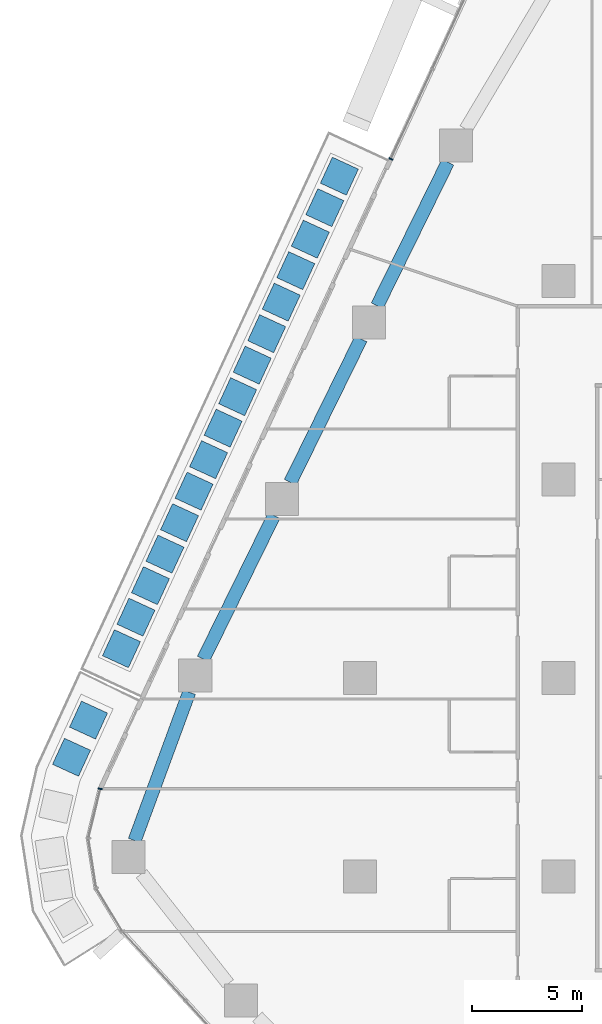
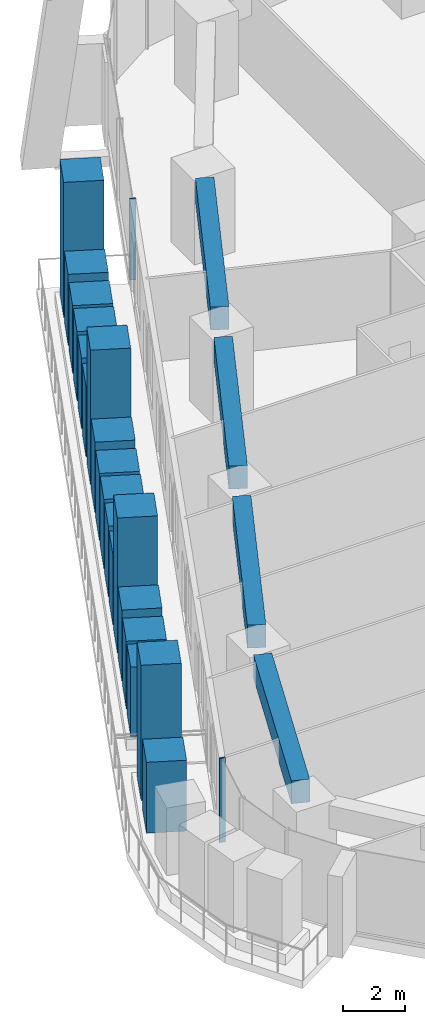
# One storey, part 6 of 27: 20 members, 4 beams, 2 elements without a shape of their own.
"""IFC4 building model written with IfcOpenShell, lengths in metres."""

from ifc_helpers import new_model, si_unit, direction, frame, origin, origin_2d, place, context, subcontext, project, spatial, rectangle, extrude, material, layer, layer_set, material_profile, profile_set, type_object, element, aggregate, save


model = new_model("IFC4")

# Units and contexts
model_context = context("Model", 3, precision=1e-05, world=origin(), true_north=direction((0.0, 1.0)))
body_context = subcontext(model_context, "Body", "Model", "MODEL_VIEW")
ifc_project = project(units=[si_unit("LENGTHUNIT", "METRE"), si_unit("AREAUNIT", "SQUARE_METRE"), si_unit("VOLUMEUNIT", "CUBIC_METRE"), si_unit("PLANEANGLEUNIT", "RADIAN"), si_unit("MASSUNIT", "GRAM", prefix="KILO")], contexts=[model_context])

# Site, building, storey
site_placement = place(None, origin())
site = spatial("IfcSite", under=ifc_project, at=site_placement, CompositionType="ELEMENT")
building_placement = place(site_placement, origin())
building = spatial("IfcBuilding", under=site, at=building_placement, Name="Dongbaek Canopy Tower", CompositionType="ELEMENT")
storey_placement = place(building_placement, frame((0.0, 0.0, 62.5)))
storey = spatial("IfcBuildingStorey", under=building, at=storey_placement, Name="L11", CompositionType="ELEMENT", Elevation=62.5)

# Curtain wall, member
ifc_material_1 = material(Name="Aluminium 6063-T6 pale anodised", Category="aluminium")
ifc_layer = layer(ifc_material_1, 0.199951171875)
ifc_layer_set = layer_set([ifc_layer], Name="CW-1 unitised tower curtain wall")
curtain_wall_type = type_object("IfcCurtainWallType", Name="CW-1 unitised tower curtain wall", PredefinedType="NOTDEFINED", material=ifc_layer_set)
curtain_wall_1_placement = place(storey_placement, origin())
curtain_wall_1 = element("IfcCurtainWall", 1, at=curtain_wall_1_placement, inside=storey, type_object=curtain_wall_type, Name="CW-1 curtain wall F2.1", PredefinedType="NOTDEFINED")
ifc_material_2 = material(Name="Aluminium 6063-T6 pale anodised", Category="aluminium")
ifc_material_profile_1 = material_profile(ifc_material_2, rectangle(XDim=0.199951171875, YDim=0.06005859375, at=origin_2d()), Name="CW-1 mullion 60 x 200")
ifc_profile_set_1 = profile_set([ifc_material_profile_1], Name="Aluminium 6063-T6 pale anodised")
member_type_1 = type_object("IfcMemberType", Name="CW-1 mullion 60 x 200", PredefinedType="MULLION", material=ifc_profile_set_1)
member_1_placement = place(storey_placement, frame((-25.60107421875, 23.524169921875, 0.1201171875), z_axis=(0.0, 0.0, 1.0), x_axis=(-0.908073315942, 0.418811237761, 0.0)))
member_1 = element("IfcMember", 2, at=member_1_placement, type_object=member_type_1, Name="CW-1 mullion F2.1.3", PredefinedType="MULLION", context=body_context, shape_type="SweptSolid", body=[
    extrude(rectangle(XDim=0.199951171875, YDim=0.06005859375, at=origin_2d()), origin(), (0.0, 0.0, 1.0), 3.179931640625),
])
aggregate(curtain_wall_1, [member_1])

curtain_wall_2_placement = place(storey_placement, origin())
curtain_wall_2 = element("IfcCurtainWall", 3, at=curtain_wall_2_placement, inside=storey, type_object=curtain_wall_type, Name="CW-1 curtain wall K3.1", PredefinedType="NOTDEFINED")
member_2_placement = place(storey_placement, frame((-38.76953125, -5.028076171875, 0.0), z_axis=(0.0, 0.0, 1.0), x_axis=(-0.972133929843, 0.234426155639, 0.0)))
member_2 = element("IfcMember", 4, at=member_2_placement, type_object=member_type_1, Name="CW-1 mullion K3.1.1", PredefinedType="MULLION", context=body_context, shape_type="SweptSolid", body=[
    extrude(rectangle(XDim=0.199951171875, YDim=0.06005859375, at=origin_2d()), origin(), (0.0, 0.0, 1.0), 3.300048828125),
])
aggregate(curtain_wall_2, [member_2])

# Beams
ifc_material_3 = material(Name="Concrete C80", Category="concrete")
ifc_material_profile_2 = material_profile(ifc_material_3, rectangle(XDim=0.60009765625, YDim=0.89990234375, at=origin_2d()), Name="RC EDGE BEAM 600x900 C80")
ifc_profile_set_2 = profile_set([ifc_material_profile_2], Name="Concrete C80")
beam_type = type_object("IfcBeamType", Name="RC EDGE BEAM 600x900 C80", PredefinedType="BEAM", material=ifc_profile_set_2)
beam_1_placement = place(storey_placement, frame((-37.213134765625, -7.373046875, 2.85009765625), z_axis=(0.345225397682, 0.938519805223, 0.0), x_axis=(-0.938519805223, 0.345225397682, 0.0)))
element("IfcBeam", 5, at=beam_1_placement, inside=storey, type_object=beam_type, Name="EDGEBEAM:L11:08", PredefinedType="BEAM", context=body_context, shape_type="SweptSolid", body=[
    extrude(rectangle(XDim=0.60009765625, YDim=0.89990234375, at=origin_2d()), origin(), (0.0, 0.0, 1.0), 7.166748046875),
])
beam_2_placement = place(storey_placement, frame((-34.09423828125, 0.85302734375, 2.85009765625), z_axis=(0.441292548313, 0.897363297, 0.0), x_axis=(-0.897363297, 0.441292548313, 0.0)))
element("IfcBeam", 6, at=beam_2_placement, inside=storey, type_object=beam_type, Name="EDGEBEAM:L11:09", PredefinedType="BEAM", context=body_context, shape_type="SweptSolid", body=[
    extrude(rectangle(XDim=0.60009765625, YDim=0.89990234375, at=origin_2d()), origin(), (0.0, 0.0, 1.0), 7.25244140625),
])
for number, where, z_axis, x_axis, name in (
    (7, (-30.156005859375, 8.861083984375, 2.85009765625), (0.441413427837, 0.897303842477, 0.0), (-0.897303842477, 0.441413427837, 0.0), "EDGEBEAM:L11:10"),
    (8, (-26.217041015625, 16.867919921875, 2.85009765625), (0.441318766596, 0.897350403271, 0.0), (-0.897350403271, 0.441318766596, 0.0), "EDGEBEAM:L11:11"),
):
    element("IfcBeam", number, at=place(storey_placement, frame(where, z_axis=z_axis, x_axis=x_axis)), inside=storey, type_object=beam_type, Name=name, PredefinedType="BEAM", context=body_context, shape_type="SweptSolid", body=[
        extrude(rectangle(XDim=0.60009765625, YDim=0.89990234375, at=origin_2d()), origin(), (0.0, 0.0, 1.0), 7.25146484375),
    ])

# Members
ifc_material_4 = material(Name="Concrete C40/50 planter mass with planting", Category="concrete")
ifc_material_profile_3 = material_profile(ifc_material_4, rectangle(XDim=1.300048828125, YDim=1.300048828125, at=origin_2d()), Name="Terrace PLANTER shrub mass 1300 x 1300")
ifc_profile_set_3 = profile_set([ifc_material_profile_3], Name="Concrete C40/50 planter mass with planting")
member_type_2 = type_object("IfcMemberType", Name="Terrace PLANTER shrub mass 1300 x 1300", PredefinedType="USERDEFINED", material=ifc_profile_set_3)
member_3_placement = place(storey_placement, frame((-27.9326171875, 22.74267578125, 0.419921875), z_axis=(0.0, 0.0, 1.0), x_axis=(-0.908073315942, 0.418811237761, 0.0)))
element("IfcMember", 9, at=member_3_placement, inside=storey, type_object=member_type_2, Name="Planter tree L11 3.1", ObjectType="PLANTER", PredefinedType="USERDEFINED", context=body_context, shape_type="SweptSolid", body=[
    extrude(rectangle(XDim=1.300048828125, YDim=1.300048828125, at=origin_2d()), origin(), (0.0, 0.0, 1.0), 5.2900390625),
])
member_4_placement = place(storey_placement, frame((-28.59130859375, 21.314697265625, 0.419921875), z_axis=(0.0, 0.0, 1.0), x_axis=(-0.908073315942, 0.418811237761, 0.0)))
element("IfcMember", 10, at=member_4_placement, inside=storey, type_object=member_type_2, Name="Planter shrubs L11 3.2", ObjectType="PLANTER", PredefinedType="USERDEFINED", context=body_context, shape_type="SweptSolid", body=[
    extrude(rectangle(XDim=1.300048828125, YDim=1.300048828125, at=origin_2d()), origin(), (0.0, 0.0, 1.0), 2.780029296875),
])
member_5_placement = place(storey_placement, frame((-29.249755859375, 19.88671875, 0.419921875), z_axis=(0.0, 0.0, 1.0), x_axis=(-0.908073315942, 0.418811237761, 0.0)))
element("IfcMember", 11, at=member_5_placement, inside=storey, type_object=member_type_2, Name="Planter shrubs L11 3.3", ObjectType="PLANTER", PredefinedType="USERDEFINED", context=body_context, shape_type="SweptSolid", body=[
    extrude(rectangle(XDim=1.300048828125, YDim=1.300048828125, at=origin_2d()), origin(), (0.0, 0.0, 1.0), 2.650146484375),
])
member_6_placement = place(storey_placement, frame((-29.908447265625, 18.458984375, 0.419921875), z_axis=(0.0, 0.0, 1.0), x_axis=(-0.908073315942, 0.418811237761, 0.0)))
element("IfcMember", 12, at=member_6_placement, inside=storey, type_object=member_type_2, Name="Planter shrubs L11 3.4", ObjectType="PLANTER", PredefinedType="USERDEFINED", context=body_context, shape_type="SweptSolid", body=[
    extrude(rectangle(XDim=1.300048828125, YDim=1.300048828125, at=origin_2d()), origin(), (0.0, 0.0, 1.0), 2.72998046875),
])
member_7_placement = place(storey_placement, frame((-30.56689453125, 17.031005859375, 0.419921875), z_axis=(0.0, 0.0, 1.0), x_axis=(-0.908073315942, 0.418811237761, 0.0)))
element("IfcMember", 13, at=member_7_placement, inside=storey, type_object=member_type_2, Name="Planter shrubs L11 3.5", ObjectType="PLANTER", PredefinedType="USERDEFINED", context=body_context, shape_type="SweptSolid", body=[
    extrude(rectangle(XDim=1.300048828125, YDim=1.300048828125, at=origin_2d()), origin(), (0.0, 0.0, 1.0), 2.780029296875),
])
member_8_placement = place(storey_placement, frame((-31.2255859375, 15.60302734375, 0.419921875), z_axis=(0.0, 0.0, 1.0), x_axis=(-0.908073315942, 0.418811237761, 0.0)))
element("IfcMember", 14, at=member_8_placement, inside=storey, type_object=member_type_2, Name="Planter shrubs L11 3.6", ObjectType="PLANTER", PredefinedType="USERDEFINED", context=body_context, shape_type="SweptSolid", body=[
    extrude(rectangle(XDim=1.300048828125, YDim=1.300048828125, at=origin_2d()), origin(), (0.0, 0.0, 1.0), 2.77001953125),
])
member_9_placement = place(storey_placement, frame((-31.884033203125, 14.17529296875, 0.419921875), z_axis=(0.0, 0.0, 1.0), x_axis=(-0.908073315942, 0.418811237761, 0.0)))
element("IfcMember", 15, at=member_9_placement, inside=storey, type_object=member_type_2, Name="Planter tree L11 3.7", ObjectType="PLANTER", PredefinedType="USERDEFINED", context=body_context, shape_type="SweptSolid", body=[
    extrude(rectangle(XDim=1.300048828125, YDim=1.300048828125, at=origin_2d()), origin(), (0.0, 0.0, 1.0), 5.2900390625),
])
member_10_placement = place(storey_placement, frame((-32.542724609375, 12.747314453125, 0.419921875), z_axis=(0.0, 0.0, 1.0), x_axis=(-0.908073315942, 0.418811237761, 0.0)))
element("IfcMember", 16, at=member_10_placement, inside=storey, type_object=member_type_2, Name="Planter shrubs L11 3.8", ObjectType="PLANTER", PredefinedType="USERDEFINED", context=body_context, shape_type="SweptSolid", body=[
    extrude(rectangle(XDim=1.300048828125, YDim=1.300048828125, at=origin_2d()), origin(), (0.0, 0.0, 1.0), 2.780029296875),
])
member_11_placement = place(storey_placement, frame((-33.201171875, 11.3193359375, 0.419921875), z_axis=(0.0, 0.0, 1.0), x_axis=(-0.908073315942, 0.418811237761, 0.0)))
element("IfcMember", 17, at=member_11_placement, inside=storey, type_object=member_type_2, Name="Planter shrubs L11 3.9", ObjectType="PLANTER", PredefinedType="USERDEFINED", context=body_context, shape_type="SweptSolid", body=[
    extrude(rectangle(XDim=1.300048828125, YDim=1.300048828125, at=origin_2d()), origin(), (0.0, 0.0, 1.0), 2.650146484375),
])
member_12_placement = place(storey_placement, frame((-33.85986328125, 9.891357421875, 0.419921875), z_axis=(0.0, 0.0, 1.0), x_axis=(-0.908073315942, 0.418811237761, 0.0)))
element("IfcMember", 18, at=member_12_placement, inside=storey, type_object=member_type_2, Name="Planter shrubs L11 3.10", ObjectType="PLANTER", PredefinedType="USERDEFINED", context=body_context, shape_type="SweptSolid", body=[
    extrude(rectangle(XDim=1.300048828125, YDim=1.300048828125, at=origin_2d()), origin(), (0.0, 0.0, 1.0), 2.72998046875),
])
member_13_placement = place(storey_placement, frame((-34.518310546875, 8.463623046875, 0.419921875), z_axis=(0.0, 0.0, 1.0), x_axis=(-0.908073315942, 0.418811237761, 0.0)))
element("IfcMember", 19, at=member_13_placement, inside=storey, type_object=member_type_2, Name="Planter shrubs L11 3.11", ObjectType="PLANTER", PredefinedType="USERDEFINED", context=body_context, shape_type="SweptSolid", body=[
    extrude(rectangle(XDim=1.300048828125, YDim=1.300048828125, at=origin_2d()), origin(), (0.0, 0.0, 1.0), 2.780029296875),
])
member_14_placement = place(storey_placement, frame((-35.177001953125, 7.03564453125, 0.419921875), z_axis=(0.0, 0.0, 1.0), x_axis=(-0.908073315942, 0.418811237761, 0.0)))
element("IfcMember", 20, at=member_14_placement, inside=storey, type_object=member_type_2, Name="Planter shrubs L11 3.12", ObjectType="PLANTER", PredefinedType="USERDEFINED", context=body_context, shape_type="SweptSolid", body=[
    extrude(rectangle(XDim=1.300048828125, YDim=1.300048828125, at=origin_2d()), origin(), (0.0, 0.0, 1.0), 2.77001953125),
])
member_15_placement = place(storey_placement, frame((-35.83544921875, 5.607666015625, 0.419921875), z_axis=(0.0, 0.0, 1.0), x_axis=(-0.908073315942, 0.418811237761, 0.0)))
element("IfcMember", 21, at=member_15_placement, inside=storey, type_object=member_type_2, Name="Planter tree L11 3.13", ObjectType="PLANTER", PredefinedType="USERDEFINED", context=body_context, shape_type="SweptSolid", body=[
    extrude(rectangle(XDim=1.300048828125, YDim=1.300048828125, at=origin_2d()), origin(), (0.0, 0.0, 1.0), 5.2900390625),
])
member_16_placement = place(storey_placement, frame((-36.494140625, 4.1796875, 0.419921875), z_axis=(0.0, 0.0, 1.0), x_axis=(-0.908073315942, 0.418811237761, 0.0)))
element("IfcMember", 22, at=member_16_placement, inside=storey, type_object=member_type_2, Name="Planter shrubs L11 3.14", ObjectType="PLANTER", PredefinedType="USERDEFINED", context=body_context, shape_type="SweptSolid", body=[
    extrude(rectangle(XDim=1.300048828125, YDim=1.300048828125, at=origin_2d()), origin(), (0.0, 0.0, 1.0), 2.780029296875),
])
member_17_placement = place(storey_placement, frame((-37.152587890625, 2.751953125, 0.419921875), z_axis=(0.0, 0.0, 1.0), x_axis=(-0.908073315942, 0.418811237761, 0.0)))
element("IfcMember", 23, at=member_17_placement, inside=storey, type_object=member_type_2, Name="Planter shrubs L11 3.15", ObjectType="PLANTER", PredefinedType="USERDEFINED", context=body_context, shape_type="SweptSolid", body=[
    extrude(rectangle(XDim=1.300048828125, YDim=1.300048828125, at=origin_2d()), origin(), (0.0, 0.0, 1.0), 2.650146484375),
])
member_18_placement = place(storey_placement, frame((-37.811279296875, 1.323974609375, 0.419921875), z_axis=(0.0, 0.0, 1.0), x_axis=(-0.908073315942, 0.418811237761, 0.0)))
element("IfcMember", 24, at=member_18_placement, inside=storey, type_object=member_type_2, Name="Planter shrubs L11 3.16", ObjectType="PLANTER", PredefinedType="USERDEFINED", context=body_context, shape_type="SweptSolid", body=[
    extrude(rectangle(XDim=1.300048828125, YDim=1.300048828125, at=origin_2d()), origin(), (0.0, 0.0, 1.0), 2.72998046875),
])
member_19_placement = place(storey_placement, frame((-39.3017578125, -1.91259765625, 0.419921875), z_axis=(0.0, 0.0, 1.0), x_axis=(-0.908982413023, 0.416834466923, 0.0)))
element("IfcMember", 25, at=member_19_placement, inside=storey, type_object=member_type_2, Name="Planter tree L11 7.1", ObjectType="PLANTER", PredefinedType="USERDEFINED", context=body_context, shape_type="SweptSolid", body=[
    extrude(rectangle(XDim=1.300048828125, YDim=1.300048828125, at=origin_2d()), origin(), (0.0, 0.0, 1.0), 5.2900390625),
])
member_20_placement = place(storey_placement, frame((-40.074462890625, -3.597900390625, 0.419921875), z_axis=(0.0, 0.0, 1.0), x_axis=(-0.908982413023, 0.416834466923, 0.0)))
element("IfcMember", 26, at=member_20_placement, inside=storey, type_object=member_type_2, Name="Planter shrubs L11 7.2", ObjectType="PLANTER", PredefinedType="USERDEFINED", context=body_context, shape_type="SweptSolid", body=[
    extrude(rectangle(XDim=1.300048828125, YDim=1.300048828125, at=origin_2d()), origin(), (0.0, 0.0, 1.0), 2.780029296875),
])

save(model, "model.ifc")
